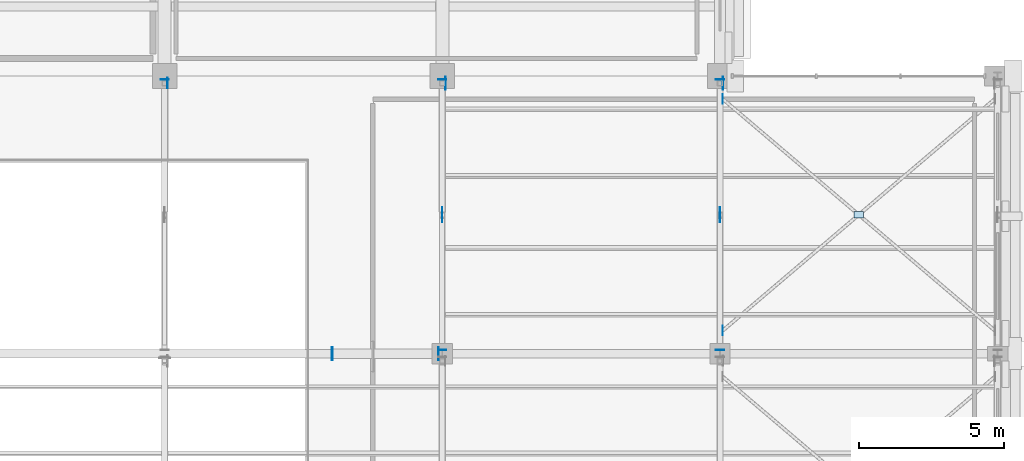
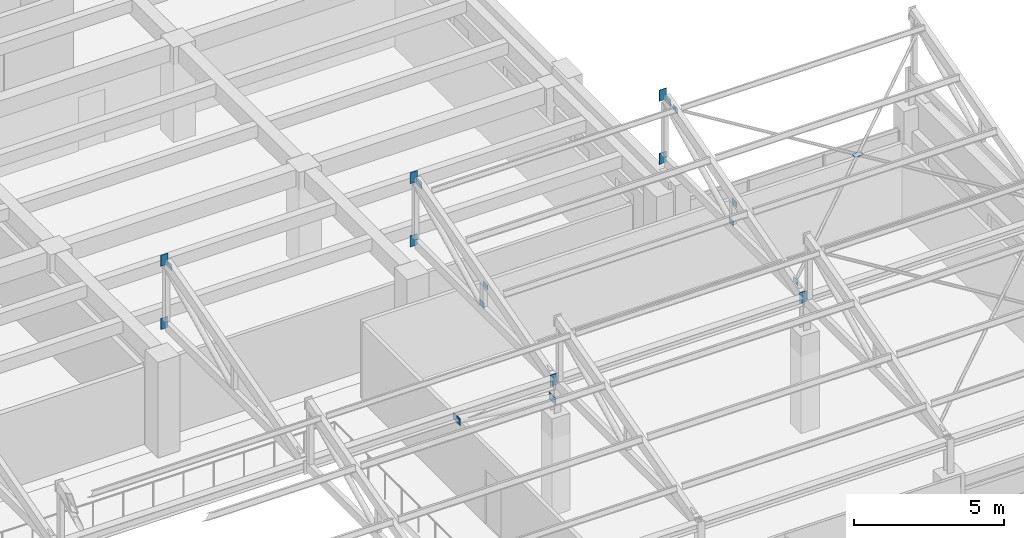
# One storey, part 44 of 58: 20 plates.
"""IFC4 building model written with IfcOpenShell, lengths in metres."""

from ifc_helpers import new_model, si_unit, direction, frame, origin, origin_2d, place, context, subcontext, project, spatial, rectangle, extrude, material, layer, layer_set, type_object, element, save


model = new_model("IFC4")

# Units and contexts
model_context = context("Model", 3, precision=1e-05, world=origin(), true_north=direction((0.0, 1.0)))
body_context = subcontext(model_context, "Body", "Model", "MODEL_VIEW")
ifc_project = project(units=[si_unit("LENGTHUNIT", "METRE"), si_unit("AREAUNIT", "SQUARE_METRE"), si_unit("VOLUMEUNIT", "CUBIC_METRE"), si_unit("PLANEANGLEUNIT", "RADIAN"), si_unit("MASSUNIT", "GRAM", prefix="KILO")], contexts=[model_context])

# Site, building, storey
site_placement = place(None, origin())
site = spatial("IfcSite", under=ifc_project, at=site_placement, CompositionType="ELEMENT")
building_placement = place(site_placement, origin())
building = spatial("IfcBuilding", under=site, at=building_placement, Name="Bempovik Park Faculty of Sciences", CompositionType="ELEMENT")
storey_placement = place(building_placement, frame((0.0, 0.0, 18.300048828125)))
storey = spatial("IfcBuildingStorey", under=building, at=storey_placement, Name="L04", CompositionType="ELEMENT", Elevation=18.300048828125)

# Plates
ifc_material = material(Name="Steel S355", Category="steel")
ifc_layer_1 = layer(ifc_material, 0.011962890625)
ifc_layer_set_1 = layer_set([ifc_layer_1], Name="Steel S355")
plate_type_1 = type_object("IfcPlateType", Name="PL-26 Steel Plate 320x220x12", PredefinedType="SHEET", material=ifc_layer_set_1)
plate_1_placement = place(storey_placement, frame((122.39990234375, 82.199951171875, 6.46240234375), z_axis=(0.0, 0.0, 1.0), x_axis=(1.0, 0.0, 0.0)))
element("IfcPlate", 1, at=plate_1_placement, inside=storey, type_object=plate_type_1, Name="Sawtooth X-Brace Crossing Node Gusset V2-B2-117.6", PredefinedType="SHEET", context=body_context, shape_type="SweptSolid", body=[
    extrude(rectangle(XDim=0.320068359375, YDim=0.219970703125, at=origin_2d()), origin(), (0.0, 0.0, 1.0), 0.011962890625),
])
for number, where, z_axis, x_axis, name in (
    (2, (117.696044921875, 78.199951171875, 5.28662109375), (0.0, 0.0, 1.0), (1.0, 0.0, 0.0), "Sawtooth X-Brace End Gusset V2-B2-117.6-1"),
    (3, (117.696044921875, 86.199951171875, 7.43017578125), (0.0, 0.0, 1.0), (1.0, 0.0, 0.0), "Sawtooth X-Brace End Gusset V2-B2-117.6-3"),
    (4, (108.0, 82.094970703125, 6.138671875), (0.0, 0.0, 1.0), (1.0, 0.0, 0.0), "Brace/Strut End Gusset Plate SAW-V2-B2-D1-1080-E2"),
    (5, (108.0, 82.304931640625, 5.2509765625), (0.0, 0.0, 1.0), (1.0, 0.0, 0.0), "Brace/Strut End Gusset Plate SAW-V2-B2-D2-1080-E1"),
    (6, (117.60009765625, 82.094970703125, 6.138671875), (0.0, 0.0, 1.0), (1.0, 0.0, 0.0), "Brace/Strut End Gusset Plate SAW-V2-B2-D1-1176-E2"),
    (7, (117.60009765625, 82.304931640625, 5.2509765625), (0.0, 0.0, 1.0), (1.0, 0.0, 0.0), "Brace/Strut End Gusset Plate SAW-V2-B2-D2-1176-E1"),
):
    element("IfcPlate", number, at=place(storey_placement, frame(where, z_axis=z_axis, x_axis=x_axis)), inside=storey, type_object=plate_type_1, Name=name, PredefinedType="SHEET", context=body_context, shape_type="SweptSolid", body=[
        extrude(rectangle(XDim=0.011962890625, YDim=0.320068359375, at=origin_2d()), origin(), (0.0, 0.0, 1.0), 0.219970703125),
    ])
ifc_layer_2 = layer(ifc_material, 0.01611328125)
ifc_layer_set_2 = layer_set([ifc_layer_2], Name="Steel S355")
plate_type_2 = type_object("IfcPlateType", Name="PL-33 Steel Plate 440x300x16", PredefinedType="SHEET", material=ifc_layer_set_2)
plate_2_placement = place(storey_placement, frame((117.7060546875, 86.75, 7.42431640625), z_axis=(0.0, 0.0, 1.0), x_axis=(1.0, 0.0, 0.0)))
element("IfcPlate", 8, at=plate_2_placement, inside=storey, type_object=plate_type_2, Name="Sawtooth Ridge Gusset Plate V2-B2-117.6", PredefinedType="SHEET", context=body_context, shape_type="SweptSolid", body=[
    extrude(rectangle(XDim=0.01611328125, YDim=0.43994140625, at=origin_2d()), origin(), (0.0, 0.0, 1.0), 0.300048828125),
])
ifc_layer_3 = layer(ifc_material, 0.02001953125)
ifc_layer_set_3 = layer_set([ifc_layer_3], Name="Steel S355")
plate_type_3 = type_object("IfcPlateType", Name="PL-36 Steel Plate 450x280x20", PredefinedType="USERDEFINED", material=ifc_layer_set_3)
for number, where, z_axis, x_axis, name in (
    (9, (98.39990234375, 86.8779296875, 7.52978515625), (0.0, 0.0, 1.0), (1.0, 0.0, 0.0), "Atrium Sawtooth Rafter End Cap V2-B2-98.4"),
    (10, (98.39990234375, 86.8779296875, 4.955078125), (0.0, 0.0, 1.0), (1.0, 0.0, 0.0), "Atrium Sawtooth Bottom Chord End Cap V2-B2-98.4"),
):
    element("IfcPlate", number, at=place(storey_placement, frame(where, z_axis=z_axis, x_axis=x_axis)), inside=storey, type_object=plate_type_3, Name=name, ObjectType="STIFFENER PLATE", PredefinedType="USERDEFINED", context=body_context, shape_type="SweptSolid", body=[
        extrude(rectangle(XDim=0.280029296875, YDim=0.02001953125, at=origin_2d()), origin(), (0.0, 0.0, 1.0), 0.449951171875),
    ])
plate_3_placement = place(storey_placement, frame((108.10791015625, 86.75, 7.4345703125), z_axis=(0.0, 0.0, 1.0), x_axis=(1.0, 0.0, 0.0)))
element("IfcPlate", 11, at=plate_3_placement, inside=storey, type_object=plate_type_3, Name="Sawtooth Ridge Gusset Plate V2-B2-108.0", ObjectType="STIFFENER PLATE", PredefinedType="USERDEFINED", context=body_context, shape_type="SweptSolid", body=[
    extrude(rectangle(XDim=0.02001953125, YDim=0.449951171875, at=origin_2d()), origin(), (0.0, 0.0, 1.0), 0.280029296875),
])
for number, where, z_axis, x_axis, name in (
    (12, (108.0, 86.8779296875, 7.52978515625), (0.0, 0.0, 1.0), (1.0, 0.0, 0.0), "Atrium Sawtooth Rafter End Cap V2-B2-108.0"),
    (13, (108.0, 77.52197265625, 4.95751953125), (0.0, 0.0, 1.0), (1.0, 0.0, 0.0), "Atrium Sawtooth Valley Rafter End Cap V2-B2-108.0"),
    (14, (108.0, 86.8779296875, 4.955078125), (0.0, 0.0, 1.0), (1.0, 0.0, 0.0), "Atrium Sawtooth Bottom Chord End Cap V2-B2-108.0"),
    (15, (117.60009765625, 86.8779296875, 7.52978515625), (0.0, 0.0, 1.0), (1.0, 0.0, 0.0), "Atrium Sawtooth Rafter End Cap V2-B2-117.6"),
    (16, (117.60009765625, 77.52197265625, 4.95751953125), (0.0, 0.0, 1.0), (1.0, 0.0, 0.0), "Atrium Sawtooth Valley Rafter End Cap V2-B2-117.6"),
    (17, (117.60009765625, 86.8779296875, 4.955078125), (0.0, 0.0, 1.0), (1.0, 0.0, 0.0), "Atrium Sawtooth Bottom Chord End Cap V2-B2-117.6"),
):
    element("IfcPlate", number, at=place(storey_placement, frame(where, z_axis=z_axis, x_axis=x_axis)), inside=storey, type_object=plate_type_3, Name=name, ObjectType="STIFFENER PLATE", PredefinedType="USERDEFINED", context=body_context, shape_type="SweptSolid", body=[
        extrude(rectangle(XDim=0.280029296875, YDim=0.02001953125, at=origin_2d()), origin(), (0.0, 0.0, 1.0), 0.449951171875),
    ])
for number, where, z_axis, x_axis, name in (
    (18, (107.8759765625, 77.39990234375, 4.39013671875), (0.0, 0.0, 1.0), (1.0, 0.0, 0.0), "Atrium Truss Diagonal End Cap 108.0-1"),
    (19, (104.194091796875, 77.39990234375, 4.84228515625), (0.0, 0.0, 1.0), (1.0, 0.0, 0.0), "Atrium Truss Diagonal End Cap 108.0-2"),
):
    element("IfcPlate", number, at=place(storey_placement, frame(where, z_axis=z_axis, x_axis=x_axis)), inside=storey, type_object=plate_type_3, Name=name, ObjectType="STIFFENER PLATE", PredefinedType="USERDEFINED", context=body_context, shape_type="SweptSolid", body=[
        extrude(rectangle(XDim=0.02001953125, YDim=0.449951171875, at=origin_2d()), origin(), (0.0, 0.0, 1.0), 0.280029296875),
    ])
ifc_layer_4 = layer(ifc_material, 0.013916015625)
ifc_layer_set_4 = layer_set([ifc_layer_4], Name="Steel S355")
plate_type_4 = type_object("IfcPlateType", Name="PL-39 Steel Plate 360x250x14", PredefinedType="SHEET", material=ifc_layer_set_4)
plate_4_placement = place(storey_placement, frame((98.5048828125, 86.75, 7.449462890625), z_axis=(0.0, 0.0, 1.0), x_axis=(1.0, 0.0, 0.0)))
element("IfcPlate", 20, at=plate_4_placement, inside=storey, type_object=plate_type_4, Name="Sawtooth Ridge Gusset Plate V2-B2-98.4", PredefinedType="SHEET", context=body_context, shape_type="SweptSolid", body=[
    extrude(rectangle(XDim=0.013916015625, YDim=0.360107421875, at=origin_2d()), origin(), (0.0, 0.0, 1.0), 0.25),
])

save(model, "model.ifc")
